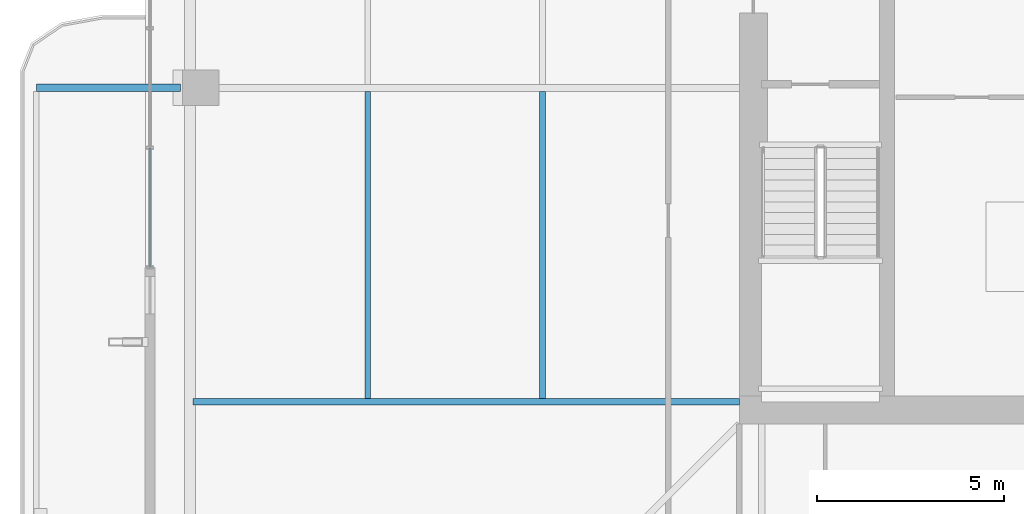
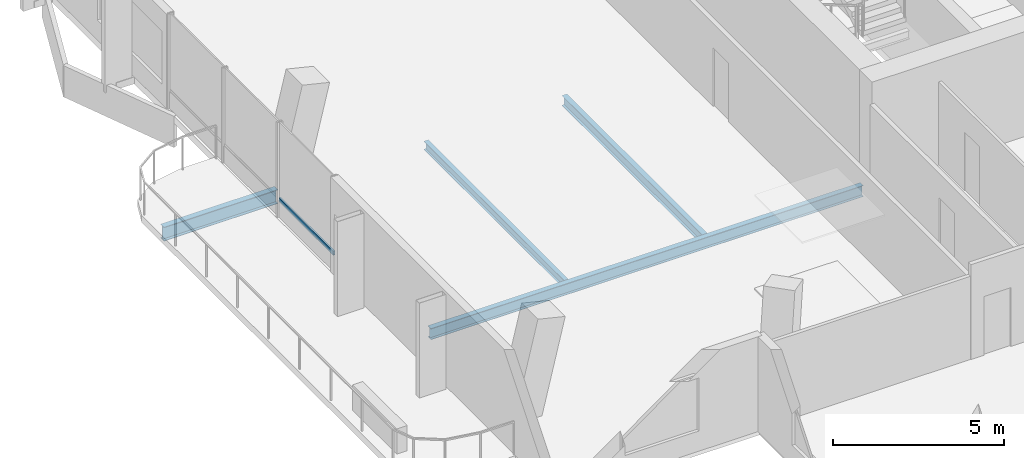
# One storey, part 5 of 25: 4 beams, 1 member, 1 element without a shape of its own.
"""IFC4 building model written with IfcOpenShell, lengths in metres."""

from ifc_helpers import new_model, si_unit, direction, frame, origin, origin_2d, place, context, subcontext, project, spatial, hollow_rectangle, i_section, extrude, material, layer, layer_set, material_profile, profile_set, type_object, element, aggregate, save


model = new_model("IFC4")

# Units and contexts
model_context = context("Model", 3, precision=1e-05, world=origin(), true_north=direction((0.0, 1.0)))
body_context = subcontext(model_context, "Body", "Model", "MODEL_VIEW")
ifc_project = project(units=[si_unit("LENGTHUNIT", "METRE"), si_unit("AREAUNIT", "SQUARE_METRE"), si_unit("VOLUMEUNIT", "CUBIC_METRE"), si_unit("PLANEANGLEUNIT", "RADIAN"), si_unit("MASSUNIT", "GRAM", prefix="KILO")], contexts=[model_context])

# Site, building, storey
site_placement = place(None, origin())
site = spatial("IfcSite", under=ifc_project, at=site_placement, CompositionType="ELEMENT")
building_placement = place(site_placement, origin())
building = spatial("IfcBuilding", under=site, at=building_placement, Name="Belovzor Exchange Tower", CompositionType="ELEMENT")
storey_placement = place(building_placement, frame((0.0, 0.0, 280.35009765625)))
storey = spatial("IfcBuildingStorey", under=building, at=storey_placement, Name="L70", CompositionType="ELEMENT", Elevation=280.35009765625)

# Beams
ifc_material_1 = material(Name="Steel S355", Category="steel")
ifc_material_profile_1 = material_profile(ifc_material_1, i_section(OverallWidth=0.199951171875, OverallDepth=0.5, WebThickness=0.01025390625, FlangeThickness=0.01611328125, at=origin_2d()))
ifc_profile_set_1 = profile_set([ifc_material_profile_1], Name="Steel S355")
beam_type_1 = type_object("IfcBeamType", Name="Planted Balcony Cantilever Beam IPE 500", PredefinedType="BEAM", material=ifc_profile_set_1)
beam_1_placement = place(storey_placement, frame((4.839111328125, 28.800048828125, -0.5), z_axis=(-1.0, 0.0, 0.0), x_axis=(0.0, -1.0, 0.0)))
element("IfcBeam", 1, at=beam_1_placement, inside=storey, type_object=beam_type_1, Name="BC-500 Planted Balcony Cantilever Beam IPE 500", PredefinedType="BEAM", context=body_context, shape_type="SweptSolid", body=[
    extrude(i_section(OverallWidth=0.199951171875, OverallDepth=0.5, WebThickness=0.01025390625, FlangeThickness=0.01611328125, at=origin_2d()), origin(), (0.0, 0.0, 1.0), 3.85009765625),
])
ifc_material_2 = material(Name="Steel S355", Category="steel")
ifc_material_profile_2 = material_profile(ifc_material_2, i_section(OverallWidth=0.169921875, OverallDepth=0.360107421875, WebThickness=0.008056640625, FlangeThickness=0.0126953125, at=origin_2d()))
ifc_profile_set_2 = profile_set([ifc_material_profile_2], Name="Steel S355")
beam_type_2 = type_object("IfcBeamType", Name="Secondary Infill Floor Joist IPE 360", PredefinedType="BEAM", material=ifc_profile_set_2)
beam_2_placement = place(storey_placement, frame((14.534912109375, 20.489990234375, -0.43017578125), z_axis=(0.0, 1.0, 0.0), x_axis=(-1.0, 0.0, 0.0)))
element("IfcBeam", 2, at=beam_2_placement, inside=storey, type_object=beam_type_2, Name="FJ-360 Secondary Infill Floor Joist IPE 360", PredefinedType="BEAM", context=body_context, shape_type="SweptSolid", body=[
    extrude(i_section(OverallWidth=0.169921875, OverallDepth=0.360107421875, WebThickness=0.008056640625, FlangeThickness=0.0126953125, at=origin_2d()), origin(), (0.0, 0.0, 1.0), 8.219970703125),
])
ifc_material_3 = material(Name="Steel S355", Category="steel")
ifc_material_profile_3 = material_profile(ifc_material_3, i_section(OverallWidth=0.14990234375, OverallDepth=0.300048828125, WebThickness=0.007080078125, FlangeThickness=0.0107421875, at=origin_2d()))
ifc_profile_set_3 = profile_set([ifc_material_profile_3], Name="Steel S355")
beam_type_3 = type_object("IfcBeamType", Name="Secondary Trim Floor Joist IPE 300", PredefinedType="BEAM", material=ifc_profile_set_3)
beam_3_placement = place(storey_placement, frame((9.85498046875, 20.489990234375, -0.400146484375), z_axis=(0.0, 1.0, 0.0), x_axis=(-1.0, 0.0, 0.0)))
element("IfcBeam", 3, at=beam_3_placement, inside=storey, type_object=beam_type_3, Name="FJ-300 Secondary Trim Floor Joist IPE 300", PredefinedType="BEAM", context=body_context, shape_type="SweptSolid", body=[
    extrude(i_section(OverallWidth=0.14990234375, OverallDepth=0.300048828125, WebThickness=0.007080078125, FlangeThickness=0.0107421875, at=origin_2d()), origin(), (0.0, 0.0, 1.0), 8.219970703125),
])

# Curtain wall, member
ifc_material_4 = material(Name="Anodised Aluminium Framing", Category="aluminium")
ifc_layer = layer(ifc_material_4, 0.179931640625)
ifc_layer_set = layer_set([ifc_layer], Name="Anodised Aluminium Framing")
curtain_wall_type = type_object("IfcCurtainWallType", Name="Recessed Loggia Low-Iron Triple-Glazed Curtain Wall", PredefinedType="NOTDEFINED", material=ifc_layer_set)
curtain_wall_placement = place(storey_placement, origin())
curtain_wall = element("IfcCurtainWall", 4, at=curtain_wall_placement, inside=storey, type_object=curtain_wall_type, Name="CW3 Recessed Loggia Low-Iron Triple-Glazed Curtain Wall L70", PredefinedType="NOTDEFINED")
ifc_material_5 = material(Name="Steel S355", Category="steel")
ifc_material_profile_4 = material_profile(ifc_material_5, hollow_rectangle(XDim=0.06005859375, YDim=0.14990234375, WallThickness=0.00390625, at=origin_2d()))
ifc_profile_set_4 = profile_set([ifc_material_profile_4], Name="Steel S355")
member_type = type_object("IfcMemberType", Name="Thermally Broken Curtain Wall Transom 150x60", PredefinedType="USERDEFINED", material=ifc_profile_set_4)
member_placement = place(storey_placement, frame((4.030029296875, 24.008056640625, 0.60986328125), z_axis=(0.0, 1.0, 0.0), x_axis=(-1.0, 0.0, 0.0)))
member = element("IfcMember", 5, at=member_placement, type_object=member_type, Name="CW-T150 Curtain Wall Transom 1", ObjectType="TRANSOM", PredefinedType="USERDEFINED", context=body_context, shape_type="SweptSolid", body=[
    extrude(hollow_rectangle(XDim=0.06005859375, YDim=0.14990234375, WallThickness=0.00390625, at=origin_2d()), origin(), (0.0, 0.0, 1.0), 3.183837890625),
])
aggregate(curtain_wall, [member])

# Beam
ifc_material_6 = material(Name="Steel S355", Category="steel")
ifc_material_profile_5 = material_profile(ifc_material_6, i_section(OverallWidth=0.179931640625, OverallDepth=0.39990234375, WebThickness=0.008544921875, FlangeThickness=0.013427734375, at=origin_2d()))
ifc_profile_set_5 = profile_set([ifc_material_profile_5], Name="Steel S355")
beam_type_4 = type_object("IfcBeamType", Name="Zone 5-6 Radial Composite Floor Beam IPE 400", PredefinedType="BEAM", material=ifc_profile_set_5)
beam_4_placement = place(storey_placement, frame((19.800048828125, 20.39990234375, -0.4501953125), z_axis=(-1.0, 0.0, 0.0), x_axis=(0.0, -1.0, 0.0)))
element("IfcBeam", 6, at=beam_4_placement, inside=storey, type_object=beam_type_4, Name="FB-400 Zone 5-6 Radial Composite Floor Beam IPE 400", PredefinedType="BEAM", context=body_context, shape_type="SweptSolid", body=[
    extrude(i_section(OverallWidth=0.179931640625, OverallDepth=0.39990234375, WebThickness=0.008544921875, FlangeThickness=0.013427734375, at=origin_2d()), origin(), (0.0, 0.0, 1.0), 14.625),
])

save(model, "model.ifc")
